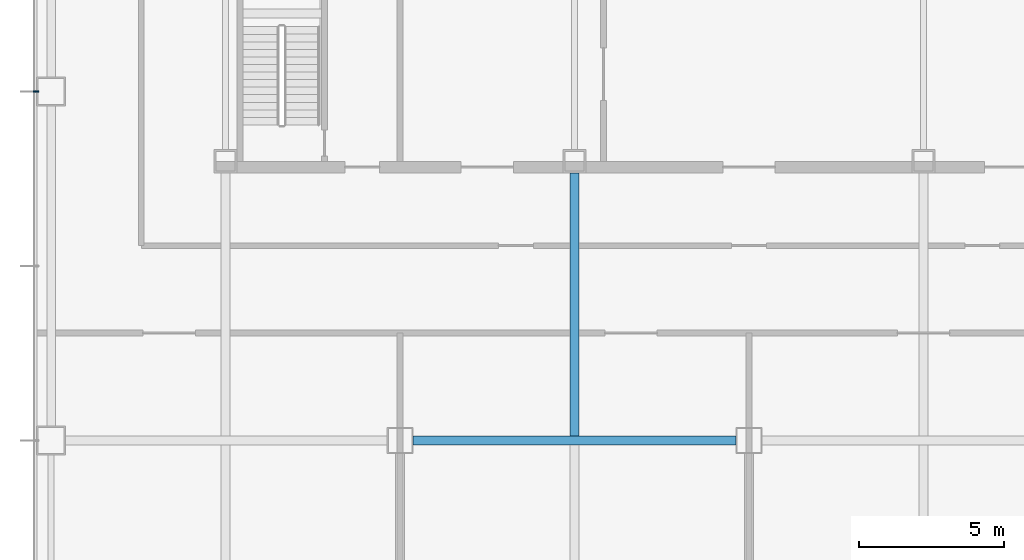
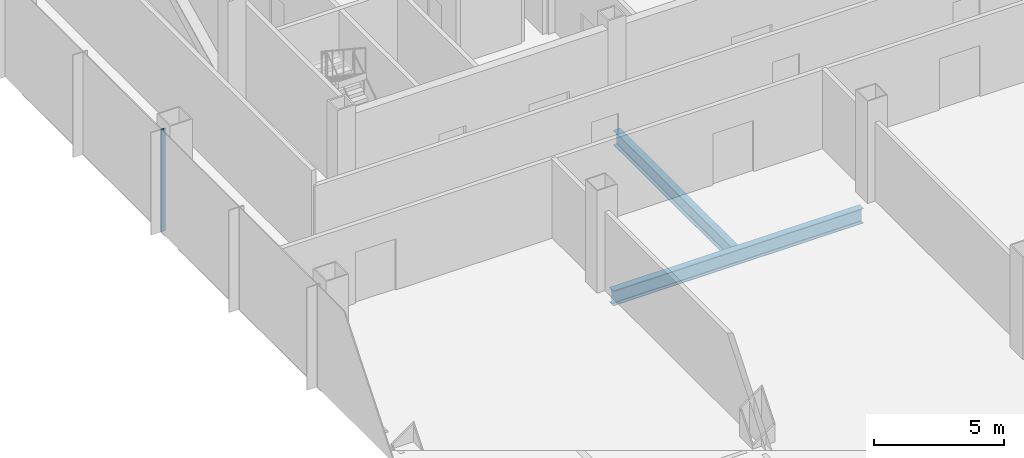
# One storey, part 6 of 33: 2 beams, 1 member, 1 element without a shape of its own.
"""IFC4 building model written with IfcOpenShell, lengths in metres."""

from ifc_helpers import new_model, si_unit, direction, frame, origin, origin_2d, place, context, subcontext, project, spatial, rectangle, i_section, extrude, material, material_profile, profile_set, type_object, element, aggregate, save


model = new_model("IFC4")

# Units and contexts
model_context = context("Model", 3, precision=1e-05, world=origin(), true_north=direction((0.0, 1.0)))
body_context = subcontext(model_context, "Body", "Model", "MODEL_VIEW")
ifc_project = project(units=[si_unit("LENGTHUNIT", "METRE"), si_unit("AREAUNIT", "SQUARE_METRE"), si_unit("VOLUMEUNIT", "CUBIC_METRE"), si_unit("PLANEANGLEUNIT", "RADIAN"), si_unit("MASSUNIT", "GRAM", prefix="KILO")], contexts=[model_context])

# Site, building, storey
site_placement = place(None, origin())
site = spatial("IfcSite", under=ifc_project, at=site_placement, CompositionType="ELEMENT")
building_placement = place(site_placement, origin())
building = spatial("IfcBuilding", under=site, at=building_placement, Name="Sorahane Residences", CompositionType="ELEMENT")
storey_placement = place(building_placement, frame((0.0, 0.0, 30.0)))
storey = spatial("IfcBuildingStorey", under=building, at=storey_placement, Name="L04", CompositionType="ELEMENT", Elevation=30.0)

# Curtain wall, member
ifc_material_1 = material(Name="Dark low-e glass and black anodised aluminium", Category="aluminium")
curtain_wall_type = type_object("IfcCurtainWallType", Name="Curtain wall CW-3 Podium unitised wall", PredefinedType="NOTDEFINED", material=ifc_material_1)
curtain_wall_placement = place(storey_placement, origin())
curtain_wall = element("IfcCurtainWall", 1, at=curtain_wall_placement, inside=storey, type_object=curtain_wall_type, Name="CW-3 curtain wall L04 W1", PredefinedType="NOTDEFINED")
ifc_material_2 = material(Name="Black anodised aluminium", Category="aluminium")
ifc_material_profile_1 = material_profile(ifc_material_2, rectangle(XDim=0.199951171875, YDim=0.050048828125, at=origin_2d()), Name="Curtain wall mullion CW-3 black anodised aluminium 50x200")
ifc_profile_set_1 = profile_set([ifc_material_profile_1], Name="Black anodised aluminium")
member_type = type_object("IfcMemberType", Name="Curtain wall mullion CW-3 black anodised aluminium 50x200", PredefinedType="MULLION", material=ifc_profile_set_1)
member_placement = place(storey_placement, frame((-0.52001953125, 24.0, -0.39990234375), z_axis=(0.0, 0.0, 1.0), x_axis=(-1.0, 0.0, 0.0)))
member = element("IfcMember", 2, at=member_placement, type_object=member_type, Name="CW-3 mullion L04 W1.5", PredefinedType="MULLION", context=body_context, shape_type="SweptSolid", body=[
    extrude(rectangle(XDim=0.199951171875, YDim=0.050048828125, at=origin_2d()), origin(), (0.0, 0.0, 1.0), 4.7998046875),
])
aggregate(curtain_wall, [member])

# Beams
ifc_material_3 = material(Name="Steel Q355B", Category="steel")
ifc_material_profile_2 = material_profile(ifc_material_3, i_section(OverallWidth=0.300048828125, OverallDepth=0.699951171875, WebThickness=0.012939453125, FlangeThickness=0.02392578125, FilletRadius=0.028076171875, at=origin_2d()), Name="HN 700x300x13x24")
ifc_profile_set_2 = profile_set([ifc_material_profile_2], Name="Steel Q355B")
beam_type = type_object("IfcBeamType", Name="Steel floor beam HN 700x300x13x24 Q355B", PredefinedType="BEAM", material=ifc_profile_set_2)
beam_1_placement = place(storey_placement, frame((12.449951171875, 12.0, -0.75), z_axis=(1.0, 0.0, 0.0), x_axis=(0.0, 1.0, 0.0)))
element("IfcBeam", 3, at=beam_1_placement, inside=storey, type_object=beam_type, Name="Beam L04 009", PredefinedType="BEAM", context=body_context, shape_type="SweptSolid", body=[
    extrude(i_section(OverallWidth=0.300048828125, OverallDepth=0.699951171875, WebThickness=0.012939453125, FlangeThickness=0.02392578125, FilletRadius=0.028076171875, at=origin_2d()), origin(), (0.0, 0.0, 1.0), 11.10009765625),
])
beam_2_placement = place(storey_placement, frame((18.0, 12.14990234375, -0.75), z_axis=(0.0, 1.0, 0.0), x_axis=(-1.0, 0.0, 0.0)))
element("IfcBeam", 4, at=beam_2_placement, inside=storey, type_object=beam_type, Name="Beam L04 039", PredefinedType="BEAM", context=body_context, shape_type="SweptSolid", body=[
    extrude(i_section(OverallWidth=0.300048828125, OverallDepth=0.699951171875, WebThickness=0.012939453125, FlangeThickness=0.02392578125, FilletRadius=0.028076171875, at=origin_2d()), origin(), (0.0, 0.0, 1.0), 9.050048828125),
])

save(model, "model.ifc")
